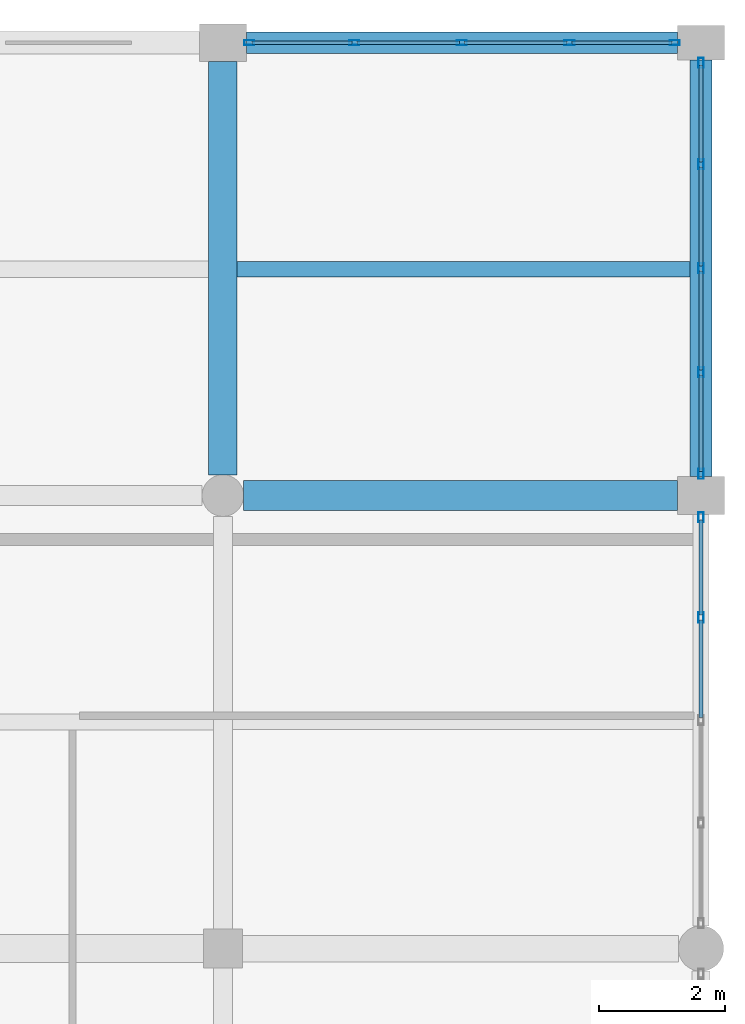
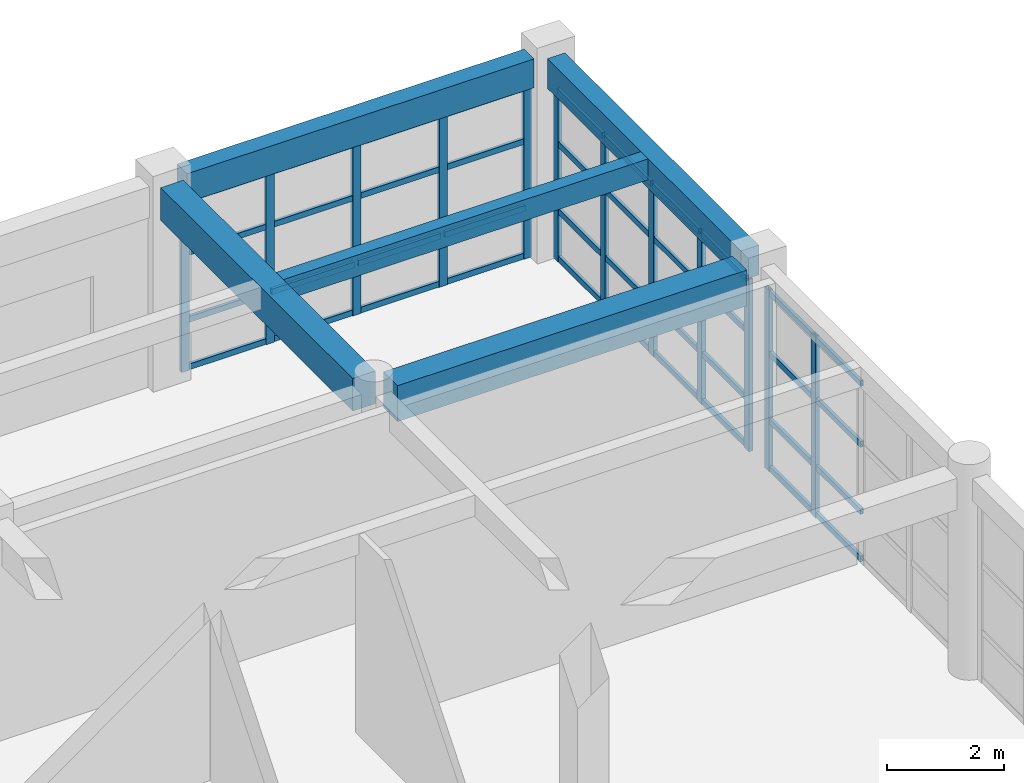
# One storey, part 110 of 160: 52 members, 5 beams, 3 elements without a shape of their own.
"""IFC4 building model written with IfcOpenShell, lengths in metres."""

from ifc_helpers import new_model, si_unit, direction, frame, origin, origin_2d, place, context, subcontext, project, spatial, rectangle, hollow_rectangle, extrude, material, material_profile, profile_set, type_object, element, aggregate, save


model = new_model("IFC4")

# Units and contexts
model_context = context("Model", 3, precision=1e-05, world=origin(), true_north=direction((0.0, 1.0)))
body_context = subcontext(model_context, "Body", "Model", "MODEL_VIEW")
ifc_project = project(units=[si_unit("LENGTHUNIT", "METRE"), si_unit("AREAUNIT", "SQUARE_METRE"), si_unit("VOLUMEUNIT", "CUBIC_METRE"), si_unit("PLANEANGLEUNIT", "RADIAN"), si_unit("MASSUNIT", "GRAM", prefix="KILO")], contexts=[model_context])

# Site, building, storey
site_placement = place(None, origin())
site = spatial("IfcSite", under=ifc_project, at=site_placement, CompositionType="ELEMENT")
building_placement = place(site_placement, origin())
building = spatial("IfcBuilding", under=site, at=building_placement, Name="Kharva Crest Polytechnic", CompositionType="ELEMENT")
storey_placement = place(building_placement, frame((0.0, 0.0, 4.5)))
storey = spatial("IfcBuildingStorey", under=building, at=storey_placement, Name="L01", CompositionType="ELEMENT", Elevation=4.5)

# Beams
ifc_material_1 = material(Name="Concrete C35/45", Category="concrete")
ifc_material_profile_1 = material_profile(ifc_material_1, rectangle(XDim=0.449951171875, YDim=0.679931640625, at=origin_2d()), Name="RECT 450 X 680")
ifc_profile_set_1 = profile_set([ifc_material_profile_1], Name="Concrete C35/45")
beam_type_1 = type_object("IfcBeamType", Name="BM-RC-450X680", PredefinedType="BEAM", material=ifc_profile_set_1)
beam_1_placement = place(storey_placement, frame((176.39990234375, 115.1298828125, 3.8798828125), z_axis=(0.0, 1.0, 0.0), x_axis=(-1.0, 0.0, 0.0)))
element("IfcBeam", 1, at=beam_1_placement, inside=storey, type_object=beam_type_1, Name="L01 Girder 23/R-S", PredefinedType="BEAM", context=body_context, shape_type="SweptSolid", body=[
    extrude(rectangle(XDim=0.449951171875, YDim=0.679931640625, at=origin_2d()), origin(), (0.0, 0.0, 1.0), 6.570068359375),
])
ifc_material_profile_2 = material_profile(ifc_material_1, rectangle(XDim=0.47998046875, YDim=0.75, at=origin_2d()), Name="RECT 480 X 750")
ifc_profile_set_2 = profile_set([ifc_material_profile_2], Name="Concrete C35/45")
beam_type_2 = type_object("IfcBeamType", Name="BM-RC-480X750", PredefinedType="BEAM", material=ifc_profile_set_2)
beam_2_placement = place(storey_placement, frame((176.72998046875, 114.800048828125, 3.844970703125), z_axis=(1.0, 0.0, 0.0), x_axis=(0.0, 1.0, 0.0)))
element("IfcBeam", 2, at=beam_2_placement, inside=storey, type_object=beam_type_2, Name="L01 Beam R/23-24", PredefinedType="BEAM", context=body_context, shape_type="SweptSolid", body=[
    extrude(rectangle(XDim=0.47998046875, YDim=0.75, at=origin_2d()), origin(), (0.0, 0.0, 1.0), 6.89501953125),
])

# Curtain wall, members
ifc_material_2 = material(Name="Tempered insulated glass", Category="glass")
curtain_wall_type = type_object("IfcCurtainWallType", Name="CW-SYS-COURT", PredefinedType="USERDEFINED", material=ifc_material_2)
curtain_wall_1_placement = place(storey_placement, origin())
curtain_wall_1 = element("IfcCurtainWall", 3, at=curtain_wall_1_placement, inside=storey, type_object=curtain_wall_type, Name="L01 Glazed Curtain Wall CW-066", ObjectType="CURTAIN WALL", PredefinedType="USERDEFINED")
ifc_material_3 = material(Name="Steel S355", Category="steel")
ifc_material_profile_3 = material_profile(ifc_material_3, hollow_rectangle(XDim=0.080078125, YDim=0.159912109375, WallThickness=0.0048828125, at=origin_2d()), Name="RHS 160X80X5.0")
ifc_profile_set_3 = profile_set([ifc_material_profile_3], Name="Steel S355")
member_type_1 = type_object("IfcMemberType", Name="CWM-RHS160X80", PredefinedType="MULLION", material=ifc_profile_set_3)
member_1_placement = place(storey_placement, frame((184.0, 112.862548828125, 0.0), z_axis=(0.0, 0.0, 1.0), x_axis=(-1.0, 0.0, 0.0)))
member_1 = element("IfcMember", 4, at=member_1_placement, type_object=member_type_1, Name="CW-066 mullion 4", PredefinedType="MULLION", context=body_context, shape_type="SweptSolid", body=[
    extrude(hollow_rectangle(XDim=0.080078125, YDim=0.159912109375, WallThickness=0.0048828125, at=origin_2d()), origin(), (0.0, 0.0, 1.0), 3.780029296875),
])
member_2_placement = place(storey_placement, frame((184.0, 114.455078125, 0.0), z_axis=(0.0, 0.0, 1.0), x_axis=(-1.0, 0.0, 0.0)))
member_2 = element("IfcMember", 5, at=member_2_placement, type_object=member_type_1, Name="CW-066 mullion 5", PredefinedType="MULLION", context=body_context, shape_type="SweptSolid", body=[
    extrude(hollow_rectangle(XDim=0.080078125, YDim=0.159912109375, WallThickness=0.0048828125, at=origin_2d()), origin(), (0.0, 0.0, 1.0), 3.780029296875),
])

curtain_wall_2_placement = place(storey_placement, origin())
curtain_wall_2 = element("IfcCurtainWall", 6, at=curtain_wall_2_placement, inside=storey, type_object=curtain_wall_type, Name="L01 Glazed Curtain Wall CW-067", ObjectType="CURTAIN WALL", PredefinedType="USERDEFINED")
member_3_placement = place(storey_placement, frame((184.0, 115.14501953125, 0.0), z_axis=(0.0, 0.0, 1.0), x_axis=(-1.0, 0.0, 0.0)))
member_3 = element("IfcMember", 7, at=member_3_placement, type_object=member_type_1, Name="CW-067 mullion 1", PredefinedType="MULLION", context=body_context, shape_type="SweptSolid", body=[
    extrude(hollow_rectangle(XDim=0.080078125, YDim=0.159912109375, WallThickness=0.0048828125, at=origin_2d()), origin(), (0.0, 0.0, 1.0), 3.60009765625),
])
member_4_placement = place(storey_placement, frame((184.0, 116.7587890625, 0.0), z_axis=(0.0, 0.0, 1.0), x_axis=(-1.0, 0.0, 0.0)))
member_4 = element("IfcMember", 8, at=member_4_placement, type_object=member_type_1, Name="CW-067 mullion 2", PredefinedType="MULLION", context=body_context, shape_type="SweptSolid", body=[
    extrude(hollow_rectangle(XDim=0.080078125, YDim=0.159912109375, WallThickness=0.0048828125, at=origin_2d()), origin(), (0.0, 0.0, 1.0), 3.60009765625),
])
member_5_placement = place(storey_placement, frame((184.0, 118.41259765625, 0.0), z_axis=(0.0, 0.0, 1.0), x_axis=(-1.0, 0.0, 0.0)))
member_5 = element("IfcMember", 9, at=member_5_placement, type_object=member_type_1, Name="CW-067 mullion 3", PredefinedType="MULLION", context=body_context, shape_type="SweptSolid", body=[
    extrude(hollow_rectangle(XDim=0.080078125, YDim=0.159912109375, WallThickness=0.0048828125, at=origin_2d()), origin(), (0.0, 0.0, 1.0), 3.60009765625),
])
member_6_placement = place(storey_placement, frame((184.0, 120.066162109375, 0.0), z_axis=(0.0, 0.0, 1.0), x_axis=(-1.0, 0.0, 0.0)))
member_6 = element("IfcMember", 10, at=member_6_placement, type_object=member_type_1, Name="CW-067 mullion 4", PredefinedType="MULLION", context=body_context, shape_type="SweptSolid", body=[
    extrude(hollow_rectangle(XDim=0.080078125, YDim=0.159912109375, WallThickness=0.0048828125, at=origin_2d()), origin(), (0.0, 0.0, 1.0), 3.60009765625),
])
member_7_placement = place(storey_placement, frame((184.0, 121.679931640625, 0.0), z_axis=(0.0, 0.0, 1.0), x_axis=(-1.0, 0.0, 0.0)))
member_7 = element("IfcMember", 11, at=member_7_placement, type_object=member_type_1, Name="CW-067 mullion 5", PredefinedType="MULLION", context=body_context, shape_type="SweptSolid", body=[
    extrude(hollow_rectangle(XDim=0.080078125, YDim=0.159912109375, WallThickness=0.0048828125, at=origin_2d()), origin(), (0.0, 0.0, 1.0), 3.60009765625),
])

curtain_wall_3_placement = place(storey_placement, origin())
curtain_wall_3 = element("IfcCurtainWall", 12, at=curtain_wall_3_placement, inside=storey, type_object=curtain_wall_type, Name="L01 Glazed Curtain Wall CW-068", ObjectType="CURTAIN WALL", PredefinedType="USERDEFINED")
member_8_placement = place(storey_placement, frame((183.580078125, 122.0, 0.0), z_axis=(0.0, 0.0, 1.0), x_axis=(0.0, -1.0, 0.0)))
member_8 = element("IfcMember", 13, at=member_8_placement, type_object=member_type_1, Name="CW-068 mullion 1", PredefinedType="MULLION", context=body_context, shape_type="SweptSolid", body=[
    extrude(hollow_rectangle(XDim=0.080078125, YDim=0.159912109375, WallThickness=0.0048828125, at=origin_2d()), origin(), (0.0, 0.0, 1.0), 3.6201171875),
])
member_9_placement = place(storey_placement, frame((181.909912109375, 122.0, 0.0), z_axis=(0.0, 0.0, 1.0), x_axis=(0.0, -1.0, 0.0)))
member_9 = element("IfcMember", 14, at=member_9_placement, type_object=member_type_1, Name="CW-068 mullion 2", PredefinedType="MULLION", context=body_context, shape_type="SweptSolid", body=[
    extrude(hollow_rectangle(XDim=0.080078125, YDim=0.159912109375, WallThickness=0.0048828125, at=origin_2d()), origin(), (0.0, 0.0, 1.0), 3.6201171875),
])
member_10_placement = place(storey_placement, frame((180.199951171875, 122.0, 0.0), z_axis=(0.0, 0.0, 1.0), x_axis=(0.0, -1.0, 0.0)))
member_10 = element("IfcMember", 15, at=member_10_placement, type_object=member_type_1, Name="CW-068 mullion 3", PredefinedType="MULLION", context=body_context, shape_type="SweptSolid", body=[
    extrude(hollow_rectangle(XDim=0.080078125, YDim=0.159912109375, WallThickness=0.0048828125, at=origin_2d()), origin(), (0.0, 0.0, 1.0), 3.6201171875),
])
member_11_placement = place(storey_placement, frame((178.489990234375, 122.0, 0.0), z_axis=(0.0, 0.0, 1.0), x_axis=(0.0, -1.0, 0.0)))
member_11 = element("IfcMember", 16, at=member_11_placement, type_object=member_type_1, Name="CW-068 mullion 4", PredefinedType="MULLION", context=body_context, shape_type="SweptSolid", body=[
    extrude(hollow_rectangle(XDim=0.080078125, YDim=0.159912109375, WallThickness=0.0048828125, at=origin_2d()), origin(), (0.0, 0.0, 1.0), 3.6201171875),
])
member_12_placement = place(storey_placement, frame((176.820068359375, 122.0, 0.0), z_axis=(0.0, 0.0, 1.0), x_axis=(0.0, -1.0, 0.0)))
member_12 = element("IfcMember", 17, at=member_12_placement, type_object=member_type_1, Name="CW-068 mullion 5", PredefinedType="MULLION", context=body_context, shape_type="SweptSolid", body=[
    extrude(hollow_rectangle(XDim=0.080078125, YDim=0.159912109375, WallThickness=0.0048828125, at=origin_2d()), origin(), (0.0, 0.0, 1.0), 3.6201171875),
])

# Member
ifc_material_profile_4 = material_profile(ifc_material_3, hollow_rectangle(XDim=0.06005859375, YDim=0.1201171875, WallThickness=0.00390625, at=origin_2d()), Name="RHS 120X60X4.0")
ifc_profile_set_4 = profile_set([ifc_material_profile_4], Name="Steel S355")
member_type_2 = type_object("IfcMemberType", Name="CWT-RHS120X60", PredefinedType="USERDEFINED", material=ifc_profile_set_4)
member_13_placement = place(storey_placement, frame((184.0, 111.27001953125, 0.06005859375), z_axis=(0.0, 1.0, 0.0), x_axis=(-1.0, 0.0, 0.0)))
member_13 = element("IfcMember", 18, at=member_13_placement, type_object=member_type_2, Name="CW-066 transom 3.1", ObjectType="TRANSOM", PredefinedType="USERDEFINED", context=body_context, shape_type="SweptSolid", body=[
    extrude(hollow_rectangle(XDim=0.06005859375, YDim=0.1201171875, WallThickness=0.00390625, at=origin_2d()), origin(), (0.0, 0.0, 1.0), 1.552490234375),
])

member_14_placement = place(storey_placement, frame((184.0, 111.27001953125, 1.050048828125), z_axis=(0.0, 1.0, 0.0), x_axis=(-1.0, 0.0, 0.0)))
member_14 = element("IfcMember", 19, at=member_14_placement, type_object=member_type_2, Name="CW-066 transom 3.2", ObjectType="TRANSOM", PredefinedType="USERDEFINED", context=body_context, shape_type="SweptSolid", body=[
    extrude(hollow_rectangle(XDim=0.06005859375, YDim=0.1201171875, WallThickness=0.00390625, at=origin_2d()), origin(), (0.0, 0.0, 1.0), 1.552490234375),
])

member_15_placement = place(storey_placement, frame((184.0, 111.27001953125, 2.449951171875), z_axis=(0.0, 1.0, 0.0), x_axis=(-1.0, 0.0, 0.0)))
member_15 = element("IfcMember", 20, at=member_15_placement, type_object=member_type_2, Name="CW-066 transom 3.3", ObjectType="TRANSOM", PredefinedType="USERDEFINED", context=body_context, shape_type="SweptSolid", body=[
    extrude(hollow_rectangle(XDim=0.06005859375, YDim=0.1201171875, WallThickness=0.00390625, at=origin_2d()), origin(), (0.0, 0.0, 1.0), 1.552490234375),
])

member_16_placement = place(storey_placement, frame((184.0, 111.27001953125, 3.719970703125), z_axis=(0.0, 1.0, 0.0), x_axis=(-1.0, 0.0, 0.0)))
member_16 = element("IfcMember", 21, at=member_16_placement, type_object=member_type_2, Name="CW-066 transom 3.4", ObjectType="TRANSOM", PredefinedType="USERDEFINED", context=body_context, shape_type="SweptSolid", body=[
    extrude(hollow_rectangle(XDim=0.06005859375, YDim=0.1201171875, WallThickness=0.00390625, at=origin_2d()), origin(), (0.0, 0.0, 1.0), 1.552490234375),
])

member_17_placement = place(storey_placement, frame((184.0, 112.902587890625, 0.06005859375), z_axis=(0.0, 1.0, 0.0), x_axis=(-1.0, 0.0, 0.0)))
member_17 = element("IfcMember", 22, at=member_17_placement, type_object=member_type_2, Name="CW-066 transom 4.1", ObjectType="TRANSOM", PredefinedType="USERDEFINED", context=body_context, shape_type="SweptSolid", body=[
    extrude(hollow_rectangle(XDim=0.06005859375, YDim=0.1201171875, WallThickness=0.00390625, at=origin_2d()), origin(), (0.0, 0.0, 1.0), 1.512451171875),
])

member_18_placement = place(storey_placement, frame((184.0, 112.902587890625, 1.050048828125), z_axis=(0.0, 1.0, 0.0), x_axis=(-1.0, 0.0, 0.0)))
member_18 = element("IfcMember", 23, at=member_18_placement, type_object=member_type_2, Name="CW-066 transom 4.2", ObjectType="TRANSOM", PredefinedType="USERDEFINED", context=body_context, shape_type="SweptSolid", body=[
    extrude(hollow_rectangle(XDim=0.06005859375, YDim=0.1201171875, WallThickness=0.00390625, at=origin_2d()), origin(), (0.0, 0.0, 1.0), 1.512451171875),
])

member_19_placement = place(storey_placement, frame((184.0, 112.902587890625, 2.449951171875), z_axis=(0.0, 1.0, 0.0), x_axis=(-1.0, 0.0, 0.0)))
member_19 = element("IfcMember", 24, at=member_19_placement, type_object=member_type_2, Name="CW-066 transom 4.3", ObjectType="TRANSOM", PredefinedType="USERDEFINED", context=body_context, shape_type="SweptSolid", body=[
    extrude(hollow_rectangle(XDim=0.06005859375, YDim=0.1201171875, WallThickness=0.00390625, at=origin_2d()), origin(), (0.0, 0.0, 1.0), 1.512451171875),
])

member_20_placement = place(storey_placement, frame((184.0, 112.902587890625, 3.719970703125), z_axis=(0.0, 1.0, 0.0), x_axis=(-1.0, 0.0, 0.0)))
member_20 = element("IfcMember", 25, at=member_20_placement, type_object=member_type_2, Name="CW-066 transom 4.4", ObjectType="TRANSOM", PredefinedType="USERDEFINED", context=body_context, shape_type="SweptSolid", body=[
    extrude(hollow_rectangle(XDim=0.06005859375, YDim=0.1201171875, WallThickness=0.00390625, at=origin_2d()), origin(), (0.0, 0.0, 1.0), 1.512451171875),
])

aggregate(curtain_wall_1, [member_1, member_2, member_13, member_14, member_15, member_16, member_17, member_18, member_19, member_20])

member_21_placement = place(storey_placement, frame((184.0, 115.18505859375, 0.06005859375), z_axis=(0.0, 1.0, 0.0), x_axis=(-1.0, 0.0, 0.0)))
member_21 = element("IfcMember", 26, at=member_21_placement, type_object=member_type_2, Name="CW-067 transom 1.1", ObjectType="TRANSOM", PredefinedType="USERDEFINED", context=body_context, shape_type="SweptSolid", body=[
    extrude(hollow_rectangle(XDim=0.06005859375, YDim=0.1201171875, WallThickness=0.00390625, at=origin_2d()), origin(), (0.0, 0.0, 1.0), 1.53369140625),
])

member_22_placement = place(storey_placement, frame((184.0, 115.18505859375, 1.050048828125), z_axis=(0.0, 1.0, 0.0), x_axis=(-1.0, 0.0, 0.0)))
member_22 = element("IfcMember", 27, at=member_22_placement, type_object=member_type_2, Name="CW-067 transom 1.2", ObjectType="TRANSOM", PredefinedType="USERDEFINED", context=body_context, shape_type="SweptSolid", body=[
    extrude(hollow_rectangle(XDim=0.06005859375, YDim=0.1201171875, WallThickness=0.00390625, at=origin_2d()), origin(), (0.0, 0.0, 1.0), 1.53369140625),
])

member_23_placement = place(storey_placement, frame((184.0, 115.18505859375, 2.449951171875), z_axis=(0.0, 1.0, 0.0), x_axis=(-1.0, 0.0, 0.0)))
member_23 = element("IfcMember", 28, at=member_23_placement, type_object=member_type_2, Name="CW-067 transom 1.3", ObjectType="TRANSOM", PredefinedType="USERDEFINED", context=body_context, shape_type="SweptSolid", body=[
    extrude(hollow_rectangle(XDim=0.06005859375, YDim=0.1201171875, WallThickness=0.00390625, at=origin_2d()), origin(), (0.0, 0.0, 1.0), 1.53369140625),
])

member_24_placement = place(storey_placement, frame((184.0, 115.18505859375, 3.5400390625), z_axis=(0.0, 1.0, 0.0), x_axis=(-1.0, 0.0, 0.0)))
member_24 = element("IfcMember", 29, at=member_24_placement, type_object=member_type_2, Name="CW-067 transom 1.4", ObjectType="TRANSOM", PredefinedType="USERDEFINED", context=body_context, shape_type="SweptSolid", body=[
    extrude(hollow_rectangle(XDim=0.06005859375, YDim=0.1201171875, WallThickness=0.00390625, at=origin_2d()), origin(), (0.0, 0.0, 1.0), 1.53369140625),
])

member_25_placement = place(storey_placement, frame((184.0, 116.798828125, 0.06005859375), z_axis=(0.0, 1.0, 0.0), x_axis=(-1.0, 0.0, 0.0)))
member_25 = element("IfcMember", 30, at=member_25_placement, type_object=member_type_2, Name="CW-067 transom 2.1", ObjectType="TRANSOM", PredefinedType="USERDEFINED", context=body_context, shape_type="SweptSolid", body=[
    extrude(hollow_rectangle(XDim=0.06005859375, YDim=0.1201171875, WallThickness=0.00390625, at=origin_2d()), origin(), (0.0, 0.0, 1.0), 1.57373046875),
])

member_26_placement = place(storey_placement, frame((184.0, 116.798828125, 1.050048828125), z_axis=(0.0, 1.0, 0.0), x_axis=(-1.0, 0.0, 0.0)))
member_26 = element("IfcMember", 31, at=member_26_placement, type_object=member_type_2, Name="CW-067 transom 2.2", ObjectType="TRANSOM", PredefinedType="USERDEFINED", context=body_context, shape_type="SweptSolid", body=[
    extrude(hollow_rectangle(XDim=0.06005859375, YDim=0.1201171875, WallThickness=0.00390625, at=origin_2d()), origin(), (0.0, 0.0, 1.0), 1.57373046875),
])

member_27_placement = place(storey_placement, frame((184.0, 116.798828125, 2.449951171875), z_axis=(0.0, 1.0, 0.0), x_axis=(-1.0, 0.0, 0.0)))
member_27 = element("IfcMember", 32, at=member_27_placement, type_object=member_type_2, Name="CW-067 transom 2.3", ObjectType="TRANSOM", PredefinedType="USERDEFINED", context=body_context, shape_type="SweptSolid", body=[
    extrude(hollow_rectangle(XDim=0.06005859375, YDim=0.1201171875, WallThickness=0.00390625, at=origin_2d()), origin(), (0.0, 0.0, 1.0), 1.57373046875),
])

member_28_placement = place(storey_placement, frame((184.0, 116.798828125, 3.5400390625), z_axis=(0.0, 1.0, 0.0), x_axis=(-1.0, 0.0, 0.0)))
member_28 = element("IfcMember", 33, at=member_28_placement, type_object=member_type_2, Name="CW-067 transom 2.4", ObjectType="TRANSOM", PredefinedType="USERDEFINED", context=body_context, shape_type="SweptSolid", body=[
    extrude(hollow_rectangle(XDim=0.06005859375, YDim=0.1201171875, WallThickness=0.00390625, at=origin_2d()), origin(), (0.0, 0.0, 1.0), 1.57373046875),
])

member_29_placement = place(storey_placement, frame((184.0, 118.452392578125, 0.06005859375), z_axis=(0.0, 1.0, 0.0), x_axis=(-1.0, 0.0, 0.0)))
member_29 = element("IfcMember", 34, at=member_29_placement, type_object=member_type_2, Name="CW-067 transom 3.1", ObjectType="TRANSOM", PredefinedType="USERDEFINED", context=body_context, shape_type="SweptSolid", body=[
    extrude(hollow_rectangle(XDim=0.06005859375, YDim=0.1201171875, WallThickness=0.00390625, at=origin_2d()), origin(), (0.0, 0.0, 1.0), 1.573974609375),
])

member_30_placement = place(storey_placement, frame((184.0, 118.452392578125, 1.050048828125), z_axis=(0.0, 1.0, 0.0), x_axis=(-1.0, 0.0, 0.0)))
member_30 = element("IfcMember", 35, at=member_30_placement, type_object=member_type_2, Name="CW-067 transom 3.2", ObjectType="TRANSOM", PredefinedType="USERDEFINED", context=body_context, shape_type="SweptSolid", body=[
    extrude(hollow_rectangle(XDim=0.06005859375, YDim=0.1201171875, WallThickness=0.00390625, at=origin_2d()), origin(), (0.0, 0.0, 1.0), 1.573974609375),
])

member_31_placement = place(storey_placement, frame((184.0, 118.452392578125, 2.449951171875), z_axis=(0.0, 1.0, 0.0), x_axis=(-1.0, 0.0, 0.0)))
member_31 = element("IfcMember", 36, at=member_31_placement, type_object=member_type_2, Name="CW-067 transom 3.3", ObjectType="TRANSOM", PredefinedType="USERDEFINED", context=body_context, shape_type="SweptSolid", body=[
    extrude(hollow_rectangle(XDim=0.06005859375, YDim=0.1201171875, WallThickness=0.00390625, at=origin_2d()), origin(), (0.0, 0.0, 1.0), 1.573974609375),
])

member_32_placement = place(storey_placement, frame((184.0, 118.452392578125, 3.5400390625), z_axis=(0.0, 1.0, 0.0), x_axis=(-1.0, 0.0, 0.0)))
member_32 = element("IfcMember", 37, at=member_32_placement, type_object=member_type_2, Name="CW-067 transom 3.4", ObjectType="TRANSOM", PredefinedType="USERDEFINED", context=body_context, shape_type="SweptSolid", body=[
    extrude(hollow_rectangle(XDim=0.06005859375, YDim=0.1201171875, WallThickness=0.00390625, at=origin_2d()), origin(), (0.0, 0.0, 1.0), 1.573974609375),
])

member_33_placement = place(storey_placement, frame((184.0, 120.106201171875, 0.06005859375), z_axis=(0.0, 1.0, 0.0), x_axis=(-1.0, 0.0, 0.0)))
member_33 = element("IfcMember", 38, at=member_33_placement, type_object=member_type_2, Name="CW-067 transom 4.1", ObjectType="TRANSOM", PredefinedType="USERDEFINED", context=body_context, shape_type="SweptSolid", body=[
    extrude(hollow_rectangle(XDim=0.06005859375, YDim=0.1201171875, WallThickness=0.00390625, at=origin_2d()), origin(), (0.0, 0.0, 1.0), 1.53369140625),
])

member_34_placement = place(storey_placement, frame((184.0, 120.106201171875, 1.050048828125), z_axis=(0.0, 1.0, 0.0), x_axis=(-1.0, 0.0, 0.0)))
member_34 = element("IfcMember", 39, at=member_34_placement, type_object=member_type_2, Name="CW-067 transom 4.2", ObjectType="TRANSOM", PredefinedType="USERDEFINED", context=body_context, shape_type="SweptSolid", body=[
    extrude(hollow_rectangle(XDim=0.06005859375, YDim=0.1201171875, WallThickness=0.00390625, at=origin_2d()), origin(), (0.0, 0.0, 1.0), 1.53369140625),
])

member_35_placement = place(storey_placement, frame((184.0, 120.106201171875, 2.449951171875), z_axis=(0.0, 1.0, 0.0), x_axis=(-1.0, 0.0, 0.0)))
member_35 = element("IfcMember", 40, at=member_35_placement, type_object=member_type_2, Name="CW-067 transom 4.3", ObjectType="TRANSOM", PredefinedType="USERDEFINED", context=body_context, shape_type="SweptSolid", body=[
    extrude(hollow_rectangle(XDim=0.06005859375, YDim=0.1201171875, WallThickness=0.00390625, at=origin_2d()), origin(), (0.0, 0.0, 1.0), 1.53369140625),
])

member_36_placement = place(storey_placement, frame((184.0, 120.106201171875, 3.5400390625), z_axis=(0.0, 1.0, 0.0), x_axis=(-1.0, 0.0, 0.0)))
member_36 = element("IfcMember", 41, at=member_36_placement, type_object=member_type_2, Name="CW-067 transom 4.4", ObjectType="TRANSOM", PredefinedType="USERDEFINED", context=body_context, shape_type="SweptSolid", body=[
    extrude(hollow_rectangle(XDim=0.06005859375, YDim=0.1201171875, WallThickness=0.00390625, at=origin_2d()), origin(), (0.0, 0.0, 1.0), 1.53369140625),
])

aggregate(curtain_wall_2, [member_3, member_4, member_5, member_6, member_7, member_21, member_22, member_23, member_24, member_25, member_26, member_27, member_28, member_29, member_30, member_31, member_32, member_33, member_34, member_35, member_36])

member_37_placement = place(storey_placement, frame((183.5400390625, 122.0, 0.06005859375), z_axis=(-1.0, 0.0, 0.0), x_axis=(0.0, -1.0, 0.0)))
member_37 = element("IfcMember", 42, at=member_37_placement, type_object=member_type_2, Name="CW-068 transom 1.1", ObjectType="TRANSOM", PredefinedType="USERDEFINED", context=body_context, shape_type="SweptSolid", body=[
    extrude(hollow_rectangle(XDim=0.06005859375, YDim=0.1201171875, WallThickness=0.00390625, at=origin_2d()), origin(), (0.0, 0.0, 1.0), 1.590087890625),
])

member_38_placement = place(storey_placement, frame((183.5400390625, 122.0, 1.050048828125), z_axis=(-1.0, 0.0, 0.0), x_axis=(0.0, -1.0, 0.0)))
member_38 = element("IfcMember", 43, at=member_38_placement, type_object=member_type_2, Name="CW-068 transom 1.2", ObjectType="TRANSOM", PredefinedType="USERDEFINED", context=body_context, shape_type="SweptSolid", body=[
    extrude(hollow_rectangle(XDim=0.06005859375, YDim=0.1201171875, WallThickness=0.00390625, at=origin_2d()), origin(), (0.0, 0.0, 1.0), 1.590087890625),
])

member_39_placement = place(storey_placement, frame((183.5400390625, 122.0, 2.449951171875), z_axis=(-1.0, 0.0, 0.0), x_axis=(0.0, -1.0, 0.0)))
member_39 = element("IfcMember", 44, at=member_39_placement, type_object=member_type_2, Name="CW-068 transom 1.3", ObjectType="TRANSOM", PredefinedType="USERDEFINED", context=body_context, shape_type="SweptSolid", body=[
    extrude(hollow_rectangle(XDim=0.06005859375, YDim=0.1201171875, WallThickness=0.00390625, at=origin_2d()), origin(), (0.0, 0.0, 1.0), 1.590087890625),
])

member_40_placement = place(storey_placement, frame((183.5400390625, 122.0, 3.56005859375), z_axis=(-1.0, 0.0, 0.0), x_axis=(0.0, -1.0, 0.0)))
member_40 = element("IfcMember", 45, at=member_40_placement, type_object=member_type_2, Name="CW-068 transom 1.4", ObjectType="TRANSOM", PredefinedType="USERDEFINED", context=body_context, shape_type="SweptSolid", body=[
    extrude(hollow_rectangle(XDim=0.06005859375, YDim=0.1201171875, WallThickness=0.00390625, at=origin_2d()), origin(), (0.0, 0.0, 1.0), 1.590087890625),
])

member_41_placement = place(storey_placement, frame((181.8701171875, 122.0, 0.06005859375), z_axis=(-1.0, 0.0, 0.0), x_axis=(0.0, -1.0, 0.0)))
member_41 = element("IfcMember", 46, at=member_41_placement, type_object=member_type_2, Name="CW-068 transom 2.1", ObjectType="TRANSOM", PredefinedType="USERDEFINED", context=body_context, shape_type="SweptSolid", body=[
    extrude(hollow_rectangle(XDim=0.06005859375, YDim=0.1201171875, WallThickness=0.00390625, at=origin_2d()), origin(), (0.0, 0.0, 1.0), 1.630126953125),
])

member_42_placement = place(storey_placement, frame((181.8701171875, 122.0, 1.050048828125), z_axis=(-1.0, 0.0, 0.0), x_axis=(0.0, -1.0, 0.0)))
member_42 = element("IfcMember", 47, at=member_42_placement, type_object=member_type_2, Name="CW-068 transom 2.2", ObjectType="TRANSOM", PredefinedType="USERDEFINED", context=body_context, shape_type="SweptSolid", body=[
    extrude(hollow_rectangle(XDim=0.06005859375, YDim=0.1201171875, WallThickness=0.00390625, at=origin_2d()), origin(), (0.0, 0.0, 1.0), 1.630126953125),
])

member_43_placement = place(storey_placement, frame((181.8701171875, 122.0, 2.449951171875), z_axis=(-1.0, 0.0, 0.0), x_axis=(0.0, -1.0, 0.0)))
member_43 = element("IfcMember", 48, at=member_43_placement, type_object=member_type_2, Name="CW-068 transom 2.3", ObjectType="TRANSOM", PredefinedType="USERDEFINED", context=body_context, shape_type="SweptSolid", body=[
    extrude(hollow_rectangle(XDim=0.06005859375, YDim=0.1201171875, WallThickness=0.00390625, at=origin_2d()), origin(), (0.0, 0.0, 1.0), 1.630126953125),
])

member_44_placement = place(storey_placement, frame((181.8701171875, 122.0, 3.56005859375), z_axis=(-1.0, 0.0, 0.0), x_axis=(0.0, -1.0, 0.0)))
member_44 = element("IfcMember", 49, at=member_44_placement, type_object=member_type_2, Name="CW-068 transom 2.4", ObjectType="TRANSOM", PredefinedType="USERDEFINED", context=body_context, shape_type="SweptSolid", body=[
    extrude(hollow_rectangle(XDim=0.06005859375, YDim=0.1201171875, WallThickness=0.00390625, at=origin_2d()), origin(), (0.0, 0.0, 1.0), 1.630126953125),
])

member_45_placement = place(storey_placement, frame((180.159912109375, 122.0, 0.06005859375), z_axis=(-1.0, 0.0, 0.0), x_axis=(0.0, -1.0, 0.0)))
member_45 = element("IfcMember", 50, at=member_45_placement, type_object=member_type_2, Name="CW-068 transom 3.1", ObjectType="TRANSOM", PredefinedType="USERDEFINED", context=body_context, shape_type="SweptSolid", body=[
    extrude(hollow_rectangle(XDim=0.06005859375, YDim=0.1201171875, WallThickness=0.00390625, at=origin_2d()), origin(), (0.0, 0.0, 1.0), 1.6298828125),
])

member_46_placement = place(storey_placement, frame((180.159912109375, 122.0, 1.050048828125), z_axis=(-1.0, 0.0, 0.0), x_axis=(0.0, -1.0, 0.0)))
member_46 = element("IfcMember", 51, at=member_46_placement, type_object=member_type_2, Name="CW-068 transom 3.2", ObjectType="TRANSOM", PredefinedType="USERDEFINED", context=body_context, shape_type="SweptSolid", body=[
    extrude(hollow_rectangle(XDim=0.06005859375, YDim=0.1201171875, WallThickness=0.00390625, at=origin_2d()), origin(), (0.0, 0.0, 1.0), 1.6298828125),
])

member_47_placement = place(storey_placement, frame((180.159912109375, 122.0, 2.449951171875), z_axis=(-1.0, 0.0, 0.0), x_axis=(0.0, -1.0, 0.0)))
member_47 = element("IfcMember", 52, at=member_47_placement, type_object=member_type_2, Name="CW-068 transom 3.3", ObjectType="TRANSOM", PredefinedType="USERDEFINED", context=body_context, shape_type="SweptSolid", body=[
    extrude(hollow_rectangle(XDim=0.06005859375, YDim=0.1201171875, WallThickness=0.00390625, at=origin_2d()), origin(), (0.0, 0.0, 1.0), 1.6298828125),
])

member_48_placement = place(storey_placement, frame((180.159912109375, 122.0, 3.56005859375), z_axis=(-1.0, 0.0, 0.0), x_axis=(0.0, -1.0, 0.0)))
member_48 = element("IfcMember", 53, at=member_48_placement, type_object=member_type_2, Name="CW-068 transom 3.4", ObjectType="TRANSOM", PredefinedType="USERDEFINED", context=body_context, shape_type="SweptSolid", body=[
    extrude(hollow_rectangle(XDim=0.06005859375, YDim=0.1201171875, WallThickness=0.00390625, at=origin_2d()), origin(), (0.0, 0.0, 1.0), 1.6298828125),
])

member_49_placement = place(storey_placement, frame((178.449951171875, 122.0, 0.06005859375), z_axis=(-1.0, 0.0, 0.0), x_axis=(0.0, -1.0, 0.0)))
member_49 = element("IfcMember", 54, at=member_49_placement, type_object=member_type_2, Name="CW-068 transom 4.1", ObjectType="TRANSOM", PredefinedType="USERDEFINED", context=body_context, shape_type="SweptSolid", body=[
    extrude(hollow_rectangle(XDim=0.06005859375, YDim=0.1201171875, WallThickness=0.00390625, at=origin_2d()), origin(), (0.0, 0.0, 1.0), 1.58984375),
])

member_50_placement = place(storey_placement, frame((178.449951171875, 122.0, 1.050048828125), z_axis=(-1.0, 0.0, 0.0), x_axis=(0.0, -1.0, 0.0)))
member_50 = element("IfcMember", 55, at=member_50_placement, type_object=member_type_2, Name="CW-068 transom 4.2", ObjectType="TRANSOM", PredefinedType="USERDEFINED", context=body_context, shape_type="SweptSolid", body=[
    extrude(hollow_rectangle(XDim=0.06005859375, YDim=0.1201171875, WallThickness=0.00390625, at=origin_2d()), origin(), (0.0, 0.0, 1.0), 1.58984375),
])

member_51_placement = place(storey_placement, frame((178.449951171875, 122.0, 2.449951171875), z_axis=(-1.0, 0.0, 0.0), x_axis=(0.0, -1.0, 0.0)))
member_51 = element("IfcMember", 56, at=member_51_placement, type_object=member_type_2, Name="CW-068 transom 4.3", ObjectType="TRANSOM", PredefinedType="USERDEFINED", context=body_context, shape_type="SweptSolid", body=[
    extrude(hollow_rectangle(XDim=0.06005859375, YDim=0.1201171875, WallThickness=0.00390625, at=origin_2d()), origin(), (0.0, 0.0, 1.0), 1.58984375),
])

member_52_placement = place(storey_placement, frame((178.449951171875, 122.0, 3.56005859375), z_axis=(-1.0, 0.0, 0.0), x_axis=(0.0, -1.0, 0.0)))
member_52 = element("IfcMember", 57, at=member_52_placement, type_object=member_type_2, Name="CW-068 transom 4.4", ObjectType="TRANSOM", PredefinedType="USERDEFINED", context=body_context, shape_type="SweptSolid", body=[
    extrude(hollow_rectangle(XDim=0.06005859375, YDim=0.1201171875, WallThickness=0.00390625, at=origin_2d()), origin(), (0.0, 0.0, 1.0), 1.58984375),
])

aggregate(curtain_wall_3, [member_8, member_9, member_10, member_11, member_12, member_37, member_38, member_39, member_40, member_41, member_42, member_43, member_44, member_45, member_46, member_47, member_48, member_49, member_50, member_51, member_52])

# Beams
ifc_material_profile_5 = material_profile(ifc_material_1, rectangle(XDim=0.25, YDim=0.43994140625, at=origin_2d()), Name="RECT 250 X 440")
ifc_profile_set_5 = profile_set([ifc_material_profile_5], Name="Concrete C35/45")
beam_type_3 = type_object("IfcBeamType", Name="JS-RC-250X440", PredefinedType="JOIST", material=ifc_profile_set_5)
beam_3_placement = place(storey_placement, frame((176.625, 118.39990234375, 4.0), z_axis=(1.0, 0.0, 0.0), x_axis=(0.0, 1.0, 0.0)))
element("IfcBeam", 58, at=beam_3_placement, inside=storey, type_object=beam_type_3, Name="L01 Floor Joist 55", PredefinedType="JOIST", context=body_context, shape_type="SweptSolid", body=[
    extrude(rectangle(XDim=0.25, YDim=0.43994140625, at=origin_2d()), origin(), (0.0, 0.0, 1.0), 7.199951171875),
])
ifc_material_profile_6 = material_profile(ifc_material_1, rectangle(XDim=0.340087890625, YDim=0.60009765625, at=origin_2d()), Name="RECT 340 X 600")
ifc_profile_set_6 = profile_set([ifc_material_profile_6], Name="Concrete C35/45")
beam_type_4 = type_object("IfcBeamType", Name="SP-RC-340X600", PredefinedType="SPANDREL", material=ifc_profile_set_6)
beam_4_placement = place(storey_placement, frame((176.77490234375, 122.0, 3.919921875), z_axis=(1.0, 0.0, 0.0), x_axis=(0.0, 1.0, 0.0)))
element("IfcBeam", 59, at=beam_4_placement, inside=storey, type_object=beam_type_4, Name="L01 Beam S/23-24", PredefinedType="SPANDREL", context=body_context, shape_type="SweptSolid", body=[
    extrude(rectangle(XDim=0.340087890625, YDim=0.60009765625, at=origin_2d()), origin(), (0.0, 0.0, 1.0), 6.85009765625),
])
ifc_material_profile_7 = material_profile(ifc_material_1, rectangle(XDim=0.35009765625, YDim=0.6201171875, at=origin_2d()), Name="RECT 350 X 620")
ifc_profile_set_7 = profile_set([ifc_material_profile_7], Name="Concrete C35/45")
beam_type_5 = type_object("IfcBeamType", Name="SP-RC-350X620", PredefinedType="SPANDREL", material=ifc_profile_set_7)
beam_5_placement = place(storey_placement, frame((184.0, 115.10009765625, 3.909912109375), z_axis=(0.0, 1.0, 0.0), x_axis=(-1.0, 0.0, 0.0)))
element("IfcBeam", 60, at=beam_5_placement, inside=storey, type_object=beam_type_5, Name="L01 Girder 24/R-S", PredefinedType="SPANDREL", context=body_context, shape_type="SweptSolid", body=[
    extrude(rectangle(XDim=0.35009765625, YDim=0.6201171875, at=origin_2d()), origin(), (0.0, 0.0, 1.0), 6.625),
])

save(model, "model.ifc")
